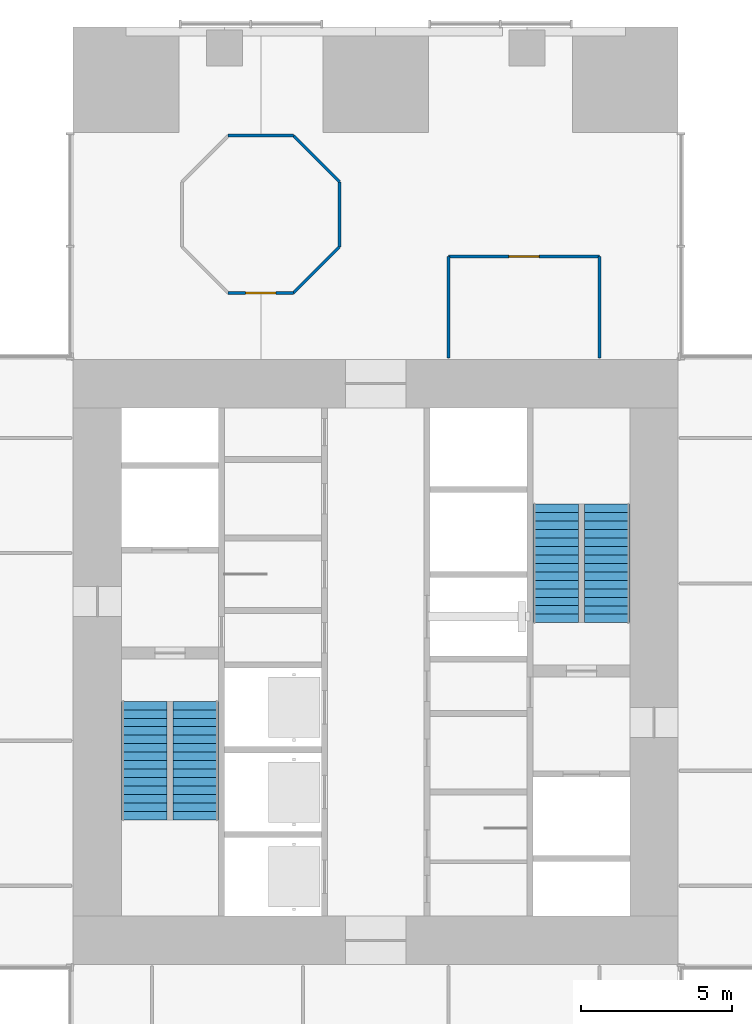
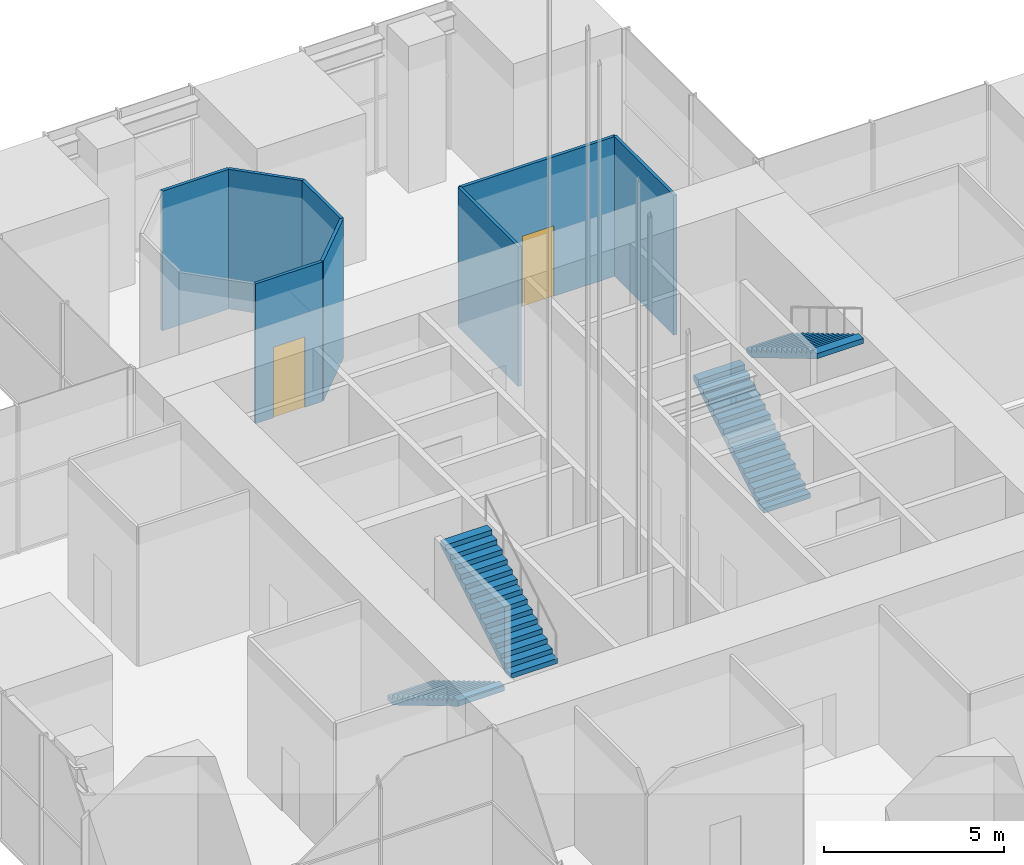
# One storey, part 7 of 16: 8 walls, 4 stair flights, 2 doors, 2 openings, 2 elements without a shape of their own.
"""IFC4 building model written with IfcOpenShell, lengths in metres."""

from ifc_helpers import new_model, si_unit, direction, frame, frame_2d, origin, place, context, subcontext, project, spatial, polyline, rectangle, outline, extrude, material, layer, layer_set, type_object, element, fill, aggregate, save


model = new_model("IFC4")

# Units and contexts
model_context = context("Model", 3, precision=1e-05, world=origin(), true_north=direction((0.0, 1.0)))
body_context = subcontext(model_context, "Body", "Model", "MODEL_VIEW")
ifc_project = project(units=[si_unit("LENGTHUNIT", "METRE"), si_unit("AREAUNIT", "SQUARE_METRE"), si_unit("VOLUMEUNIT", "CUBIC_METRE"), si_unit("PLANEANGLEUNIT", "RADIAN"), si_unit("MASSUNIT", "GRAM", prefix="KILO")], contexts=[model_context])

# Site, building, storey
site_placement = place(None, origin())
site = spatial("IfcSite", under=ifc_project, at=site_placement, CompositionType="ELEMENT")
building_placement = place(site_placement, origin())
building = spatial("IfcBuilding", under=site, at=building_placement, Name="Svetlomir Tower", CompositionType="ELEMENT")
storey_placement = place(building_placement, frame((0.0, 0.0, 91.5)))
storey = spatial("IfcBuildingStorey", under=building, at=storey_placement, Name="L21", CompositionType="ELEMENT", Elevation=91.5)

# Wall, opening, door
ifc_material_1 = material(Name="Framed laminated glass partition", Category="glass")
ifc_layer = layer(ifc_material_1, 0.10009765625)
ifc_layer_set = layer_set([ifc_layer], Name="Framed laminated glass partition")
wall_type = type_object("IfcWallType", Name="GLAZED PARTITION 100", PredefinedType="PARTITIONING", material=ifc_layer_set)
wall_1_placement = place(storey_placement, frame((16.123046875, 33.199951171875, 0.0), z_axis=(0.0, 0.0, 1.0), x_axis=(1.0, 0.0, 0.0)))
wall_1 = element("IfcWall", 1, at=wall_1_placement, inside=storey, type_object=wall_type, Name="Glazed partition L21", PredefinedType="PARTITIONING", context=body_context, shape_type="SweptSolid", body=[
    extrude(rectangle(XDim=2.154052734375, YDim=0.10009765625, at=frame_2d((1.0771484375, 0.0))), origin(), (0.0, 0.0, 1.0), 4.75),
])
opening_1_placement = place(wall_1_placement, frame((0.576904296875, 0.0, 0.0)))
opening_1 = element("IfcOpeningElement", 2, at=opening_1_placement, cuts=wall_1, Name="Opening DG", PredefinedType="OPENING", context=body_context, shape_type="SweptSolid", body=[
    extrude(rectangle(XDim=1.0, YDim=2.39990234375, at=frame_2d((0.5, 1.199951171875))), frame((0.0, 0.06005859375, 0.0), z_axis=(0.0, -1.0, 0.0), x_axis=(1.0, 0.0, 0.0)), (0.0, 0.0, 1.0), 0.1201171875),
])
ifc_material_2 = material(Name="Framed laminated glass door", Category="glass")
door_type = type_object("IfcDoorType", Name="GLAZED DOOR DG 1000x2400", OperationType="SINGLE_SWING_LEFT", PredefinedType="DOOR", material=ifc_material_2)
door_1_placement = place(opening_1_placement, origin())
door_1 = element("IfcDoor", 3, at=door_1_placement, inside=storey, type_object=door_type, Name="Client lounge door L21", OperationType="SINGLE_SWING_RIGHT", OverallHeight=2.39990234375, OverallWidth=1.0, PredefinedType="DOOR", context=body_context, shape_type="SweptSolid", body=[
    extrude(rectangle(XDim=1.0, YDim=2.39990234375, at=frame_2d((0.5, 1.199951171875))), frame((0.0, 0.02490234375, 0.0), z_axis=(0.0, -1.0, 0.0), x_axis=(1.0, 0.0, 0.0)), (0.0, 0.0, 1.0), 0.050048828125),
])
fill(opening_1, door_1)

# Walls
wall_2_placement = place(storey_placement, frame((16.123046875, 38.39990234375, 0.0), z_axis=(0.0, 0.0, 1.0), x_axis=(1.0, 0.0, 0.0)))
element("IfcWall", 4, at=wall_2_placement, inside=storey, type_object=wall_type, Name="Glazed partition L21", PredefinedType="PARTITIONING", context=body_context, shape_type="SweptSolid", body=[
    extrude(rectangle(XDim=2.154052734375, YDim=0.10009765625, at=frame_2d((1.0771484375, 0.0))), origin(), (0.0, 0.0, 1.0), 4.75),
])
for number, where, z_axis, x_axis, name in (
    (5, (18.277099609375, 33.199951171875, 0.0), (0.0, 0.0, 1.0), (0.707106781187, 0.707106781187, 0.0), "Glazed partition L21"),
    (6, (18.277099609375, 38.39990234375, 0.0), (0.0, 0.0, 1.0), (0.707106781187, -0.707106781187, 0.0), "Glazed partition L21"),
):
    element("IfcWall", number, at=place(storey_placement, frame(where, z_axis=z_axis, x_axis=x_axis)), inside=storey, type_object=wall_type, Name=name, PredefinedType="PARTITIONING", context=body_context, shape_type="SweptSolid", body=[
        extrude(rectangle(XDim=2.15380859375, YDim=0.10009765625, at=frame_2d((1.076904296875, 0.0))), origin(), (0.0, 0.0, 1.0), 4.75),
    ])
wall_3_placement = place(storey_placement, frame((19.800048828125, 34.722900390625, 0.0), z_axis=(0.0, 0.0, 1.0), x_axis=(0.0, 1.0, 0.0)))
element("IfcWall", 7, at=wall_3_placement, inside=storey, type_object=wall_type, Name="Glazed partition L21", PredefinedType="PARTITIONING", context=body_context, shape_type="SweptSolid", body=[
    extrude(rectangle(XDim=2.154052734375, YDim=0.10009765625, at=frame_2d((1.0771484375, 0.0))), origin(), (0.0, 0.0, 1.0), 4.75),
])
wall_4_placement = place(storey_placement, frame((23.39990234375, 31.050048828125, 0.0), z_axis=(0.0, 0.0, 1.0), x_axis=(0.0, 1.0, 0.0)))
element("IfcWall", 8, at=wall_4_placement, inside=storey, type_object=wall_type, Name="Glazed partition L21", PredefinedType="PARTITIONING", context=body_context, shape_type="SweptSolid", body=[
    extrude(rectangle(XDim=3.349853515625, YDim=0.10009765625, at=frame_2d((1.6748046875, 0.0))), origin(), (0.0, 0.0, 1.0), 4.75),
])

# Wall, opening, door
wall_5_placement = place(storey_placement, frame((23.39990234375, 34.39990234375, 0.0), z_axis=(0.0, 0.0, 1.0), x_axis=(1.0, 0.0, 0.0)))
wall_5 = element("IfcWall", 9, at=wall_5_placement, inside=storey, type_object=wall_type, Name="Glazed partition L21", PredefinedType="PARTITIONING", context=body_context, shape_type="SweptSolid", body=[
    extrude(rectangle(XDim=5.0, YDim=0.10009765625, at=frame_2d((2.5, 0.0))), origin(), (0.0, 0.0, 1.0), 4.75),
])
opening_2_placement = place(wall_5_placement, frame((2.0, 0.0, 0.0)))
opening_2 = element("IfcOpeningElement", 10, at=opening_2_placement, cuts=wall_5, Name="Opening DG", PredefinedType="OPENING", context=body_context, shape_type="SweptSolid", body=[
    extrude(rectangle(XDim=1.0, YDim=2.39990234375, at=frame_2d((0.5, 1.199951171875))), frame((0.0, 0.06005859375, 0.0), z_axis=(0.0, -1.0, 0.0), x_axis=(1.0, 0.0, 0.0)), (0.0, 0.0, 1.0), 0.1201171875),
])
door_2_placement = place(opening_2_placement, origin())
door_2 = element("IfcDoor", 11, at=door_2_placement, inside=storey, type_object=door_type, Name="Client meeting room, 4 seats door L21", OperationType="SINGLE_SWING_LEFT", OverallHeight=2.39990234375, OverallWidth=1.0, PredefinedType="DOOR", context=body_context, shape_type="SweptSolid", body=[
    extrude(rectangle(XDim=1.0, YDim=2.39990234375, at=frame_2d((0.5, 1.199951171875))), frame((0.0, 0.02490234375, 0.0), z_axis=(0.0, -1.0, 0.0), x_axis=(1.0, 0.0, 0.0)), (0.0, 0.0, 1.0), 0.050048828125),
])
fill(opening_2, door_2)

# Wall
wall_6_placement = place(storey_placement, frame((28.39990234375, 31.050048828125, 0.0), z_axis=(0.0, 0.0, 1.0), x_axis=(0.0, 1.0, 0.0)))
element("IfcWall", 12, at=wall_6_placement, inside=storey, type_object=wall_type, Name="Glazed partition L21", PredefinedType="PARTITIONING", context=body_context, shape_type="SweptSolid", body=[
    extrude(rectangle(XDim=3.349853515625, YDim=0.10009765625, at=frame_2d((1.6748046875, 0.0))), origin(), (0.0, 0.0, 1.0), 4.75),
])

# Stair, stair flights
ifc_material_3 = material(Name="Concrete C60/75", Category="concrete")
stair_type = type_object("IfcStairType", Name="EXIT STAIR 3200 RISE 5000", PredefinedType="HALF_TURN_STAIR", material=ifc_material_3)
stair_1_placement = place(storey_placement, origin())
stair_1 = element("IfcStair", 13, at=stair_1_placement, inside=storey, type_object=stair_type, Name="Stair S1 L21 to L22", PredefinedType="HALF_TURN_STAIR")
ifc_material_4 = material(Name="Concrete C60/75", Category="concrete")
stair_flight_type = type_object("IfcStairFlightType", Name="STAIR FLIGHT 1500 OF 15 RISERS", PredefinedType="STRAIGHT", material=ifc_material_4)
stair_flight_1_placement = place(storey_placement, frame((13.35009765625, 19.699951171875, 0.0), z_axis=(0.0, 0.0, 1.0), x_axis=(0.0, -1.0, 0.0)))
stair_flight_1 = element("IfcStairFlight", 14, at=stair_flight_1_placement, type_object=stair_flight_type, Name="S1 flight 1", NumberOfRisers=15, NumberOfTreads=14, PredefinedType="STRAIGHT", RiserHeight=0.166666667, TreadLength=0.28, context=body_context, shape_type="SweptSolid", body=[
    extrude(outline(polyline([(0.0, 0.0), (0.0, 0.166748046875), (0.280029296875, 0.166748046875), (0.280029296875, 0.333251953125), (0.56005859375, 0.333251953125), (0.56005859375, 0.5), (0.840087890625, 0.5), (0.840087890625, 0.666748046875), (1.1201171875, 0.666748046875), (1.1201171875, 0.833251953125), (1.39990234375, 0.833251953125), (1.39990234375, 1.0), (1.679931640625, 1.0), (1.679931640625, 1.166748046875), (1.9599609375, 1.166748046875), (1.9599609375, 1.333251953125), (2.239990234375, 1.333251953125), (2.239990234375, 1.5), (2.52001953125, 1.5), (2.52001953125, 1.666748046875), (2.800048828125, 1.666748046875), (2.800048828125, 1.833251953125), (3.080078125, 1.833251953125), (3.080078125, 2.0), (3.360107421875, 2.0), (3.360107421875, 2.166748046875), (3.639892578125, 2.166748046875), (3.639892578125, 2.333251953125), (3.919921875, 2.333251953125), (3.919921875, 2.5), (3.919921875, 2.158935546875), (0.29296875, 0.0), (0.0, 0.0)])), frame((0.0, 0.75, 0.0), z_axis=(0.0, -1.0, 0.0), x_axis=(1.0, 0.0, 0.0)), (0.0, 0.0, 1.0), 1.5),
])
stair_flight_2_placement = place(storey_placement, frame((15.050048828125, 15.780029296875, 2.5), z_axis=(0.0, 0.0, 1.0), x_axis=(0.0, 1.0, 0.0)))
stair_flight_2 = element("IfcStairFlight", 15, at=stair_flight_2_placement, type_object=stair_flight_type, Name="S1 flight 2", NumberOfRisers=15, NumberOfTreads=14, PredefinedType="STRAIGHT", RiserHeight=0.166666667, TreadLength=0.28, context=body_context, shape_type="SweptSolid", body=[
    extrude(outline(polyline([(0.0, 0.0), (0.0, 0.166748046875), (0.280029296875, 0.166748046875), (0.280029296875, 0.333251953125), (0.56005859375, 0.333251953125), (0.56005859375, 0.5), (0.840087890625, 0.5), (0.840087890625, 0.666748046875), (1.1201171875, 0.666748046875), (1.1201171875, 0.833251953125), (1.39990234375, 0.833251953125), (1.39990234375, 1.0), (1.679931640625, 1.0), (1.679931640625, 1.166748046875), (1.9599609375, 1.166748046875), (1.9599609375, 1.333251953125), (2.239990234375, 1.333251953125), (2.239990234375, 1.5), (2.52001953125, 1.5), (2.52001953125, 1.666748046875), (2.800048828125, 1.666748046875), (2.800048828125, 1.833251953125), (3.080078125, 1.833251953125), (3.080078125, 2.0), (3.360107421875, 2.0), (3.360107421875, 2.166748046875), (3.639892578125, 2.166748046875), (3.639892578125, 2.333251953125), (3.919921875, 2.333251953125), (3.919921875, 2.5), (3.919921875, 2.158935546875), (0.29296875, 0.0), (0.0, 0.0)])), frame((0.0, 0.75, 0.0), z_axis=(0.0, -1.0, 0.0), x_axis=(1.0, 0.0, 0.0)), (0.0, 0.0, 1.0), 1.5),
])
aggregate(stair_1, [stair_flight_1, stair_flight_2])

stair_2_placement = place(storey_placement, origin())
stair_2 = element("IfcStair", 16, at=stair_2_placement, inside=storey, type_object=stair_type, Name="Stair S2 L21 to L22", PredefinedType="HALF_TURN_STAIR")
stair_flight_3_placement = place(storey_placement, frame((26.949951171875, 22.300048828125, 0.0), z_axis=(0.0, 0.0, 1.0), x_axis=(0.0, 1.0, 0.0)))
stair_flight_3 = element("IfcStairFlight", 17, at=stair_flight_3_placement, type_object=stair_flight_type, Name="S2 flight 1", NumberOfRisers=15, NumberOfTreads=14, PredefinedType="STRAIGHT", RiserHeight=0.166666667, TreadLength=0.28, context=body_context, shape_type="SweptSolid", body=[
    extrude(outline(polyline([(0.0, 0.0), (0.0, 0.166748046875), (0.280029296875, 0.166748046875), (0.280029296875, 0.333251953125), (0.56005859375, 0.333251953125), (0.56005859375, 0.5), (0.840087890625, 0.5), (0.840087890625, 0.666748046875), (1.1201171875, 0.666748046875), (1.1201171875, 0.833251953125), (1.39990234375, 0.833251953125), (1.39990234375, 1.0), (1.679931640625, 1.0), (1.679931640625, 1.166748046875), (1.9599609375, 1.166748046875), (1.9599609375, 1.333251953125), (2.239990234375, 1.333251953125), (2.239990234375, 1.5), (2.52001953125, 1.5), (2.52001953125, 1.666748046875), (2.800048828125, 1.666748046875), (2.800048828125, 1.833251953125), (3.080078125, 1.833251953125), (3.080078125, 2.0), (3.360107421875, 2.0), (3.360107421875, 2.166748046875), (3.639892578125, 2.166748046875), (3.639892578125, 2.333251953125), (3.919921875, 2.333251953125), (3.919921875, 2.5), (3.919921875, 2.158935546875), (0.29296875, 0.0), (0.0, 0.0)])), frame((0.0, 0.75, 0.0), z_axis=(0.0, -1.0, 0.0), x_axis=(1.0, 0.0, 0.0)), (0.0, 0.0, 1.0), 1.5),
])
stair_flight_4_placement = place(storey_placement, frame((28.64990234375, 26.219970703125, 2.5), z_axis=(0.0, 0.0, 1.0), x_axis=(0.0, -1.0, 0.0)))
stair_flight_4 = element("IfcStairFlight", 18, at=stair_flight_4_placement, type_object=stair_flight_type, Name="S2 flight 2", NumberOfRisers=15, NumberOfTreads=14, PredefinedType="STRAIGHT", RiserHeight=0.166666667, TreadLength=0.28, context=body_context, shape_type="SweptSolid", body=[
    extrude(outline(polyline([(0.0, 0.0), (0.0, 0.166748046875), (0.280029296875, 0.166748046875), (0.280029296875, 0.333251953125), (0.56005859375, 0.333251953125), (0.56005859375, 0.5), (0.840087890625, 0.5), (0.840087890625, 0.666748046875), (1.1201171875, 0.666748046875), (1.1201171875, 0.833251953125), (1.39990234375, 0.833251953125), (1.39990234375, 1.0), (1.679931640625, 1.0), (1.679931640625, 1.166748046875), (1.9599609375, 1.166748046875), (1.9599609375, 1.333251953125), (2.239990234375, 1.333251953125), (2.239990234375, 1.5), (2.52001953125, 1.5), (2.52001953125, 1.666748046875), (2.800048828125, 1.666748046875), (2.800048828125, 1.833251953125), (3.080078125, 1.833251953125), (3.080078125, 2.0), (3.360107421875, 2.0), (3.360107421875, 2.166748046875), (3.639892578125, 2.166748046875), (3.639892578125, 2.333251953125), (3.919921875, 2.333251953125), (3.919921875, 2.5), (3.919921875, 2.158935546875), (0.29296875, 0.0), (0.0, 0.0)])), frame((0.0, 0.75, 0.0), z_axis=(0.0, -1.0, 0.0), x_axis=(1.0, 0.0, 0.0)), (0.0, 0.0, 1.0), 1.5),
])
aggregate(stair_2, [stair_flight_3, stair_flight_4])

save(model, "model.ifc")
